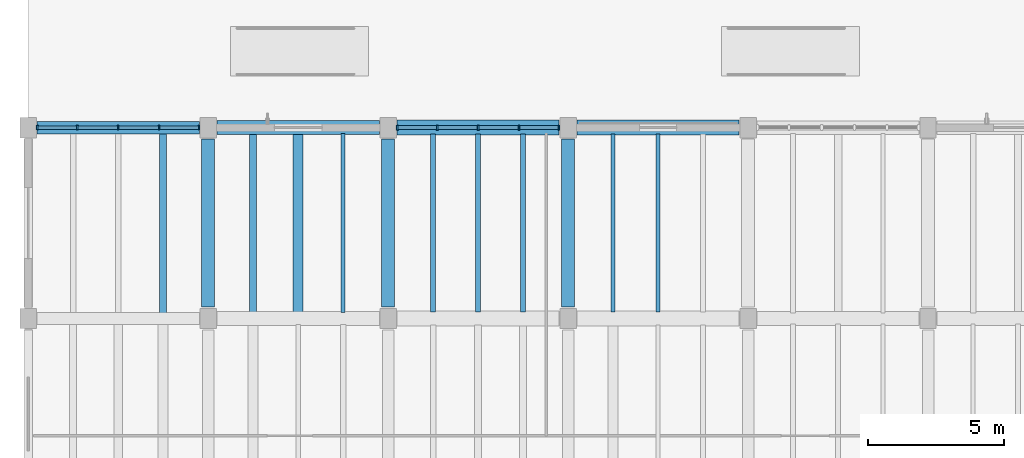
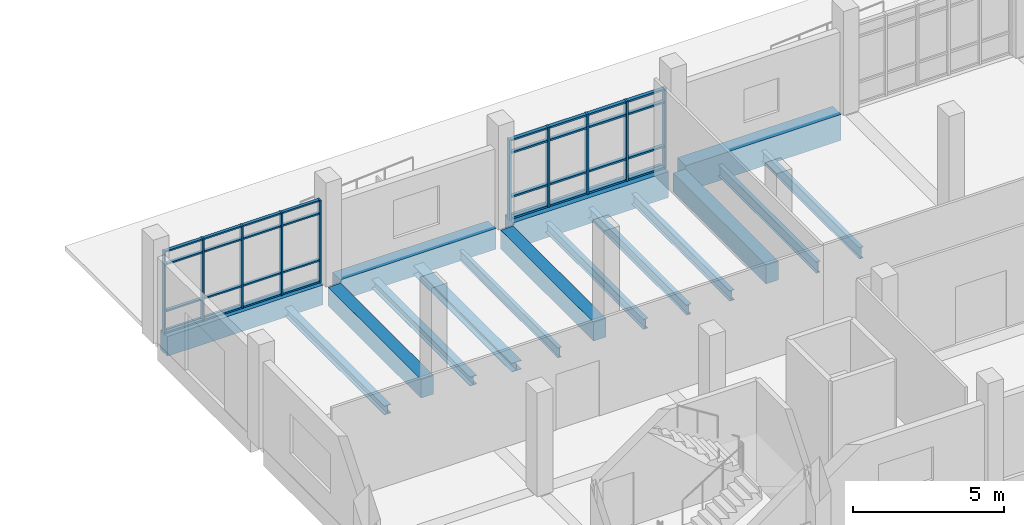
# One storey, part 3 of 69: 42 members, 16 beams, 2 elements without a shape of their own.
"""IFC4 building model written with IfcOpenShell, lengths in metres."""

from ifc_helpers import new_model, si_unit, direction, frame, origin, origin_2d, place, context, subcontext, project, spatial, rectangle, i_section, extrude, material, material_profile, profile_set, type_object, element, aggregate, save


model = new_model("IFC4")

# Units and contexts
model_context = context("Model", 3, precision=1e-05, world=origin(), true_north=direction((0.0, 1.0)))
body_context = subcontext(model_context, "Body", "Model", "MODEL_VIEW")
ifc_project = project(units=[si_unit("LENGTHUNIT", "METRE"), si_unit("AREAUNIT", "SQUARE_METRE"), si_unit("VOLUMEUNIT", "CUBIC_METRE"), si_unit("PLANEANGLEUNIT", "RADIAN"), si_unit("MASSUNIT", "GRAM", prefix="KILO")], contexts=[model_context])

# Site, building, storey
site_placement = place(None, origin())
site = spatial("IfcSite", under=ifc_project, at=site_placement, CompositionType="ELEMENT")
building_placement = place(site_placement, origin())
building = spatial("IfcBuilding", under=site, at=building_placement, Name="Ciguamira Faculty of Natural Sciences", CompositionType="ELEMENT")
storey_placement = place(building_placement, origin())
storey = spatial("IfcBuildingStorey", under=building, at=storey_placement, Name="L00", CompositionType="ELEMENT", Elevation=0.0)

# Curtain wall, members
ifc_material_1 = material(Name="Anodized aluminium curtain wall", Category="aluminium")
curtain_wall_type_1 = type_object("IfcCurtainWallType", Name="CurtainWall_CW-01", PredefinedType="USERDEFINED", material=ifc_material_1)
curtain_wall_1_placement = place(storey_placement, origin())
curtain_wall_1 = element("IfcCurtainWall", 1, at=curtain_wall_1_placement, inside=storey, type_object=curtain_wall_type_1, Name="L00 unitised curtain wall 0001", ObjectType="UNITISED CURTAIN WALL", PredefinedType="USERDEFINED")
ifc_material_2 = material(Name="Anodized aluminium mullion", Category="aluminium")
ifc_material_profile_1 = material_profile(ifc_material_2, rectangle(XDim=0.06005859375, YDim=0.159912109375, at=origin_2d()), Name="ALU-MUL-60X160")
ifc_profile_set_1 = profile_set([ifc_material_profile_1], Name="Anodized aluminium mullion")
member_type_1 = type_object("IfcMemberType", Name="CWMullion_CWM-01", PredefinedType="MULLION", material=ifc_profile_set_1)
member_1_placement = place(storey_placement, frame((4.830078125, 24.0, 0.0), z_axis=(0.0, 0.0, 1.0), x_axis=(1.0, 0.0, 0.0)))
member_1 = element("IfcMember", 2, at=member_1_placement, type_object=member_type_1, Name="CW-01 mullion 1", PredefinedType="MULLION", context=body_context, shape_type="SweptSolid", body=[
    extrude(rectangle(XDim=0.06005859375, YDim=0.159912109375, at=origin_2d()), origin(), (0.0, 0.0, 1.0), 3.344970703125),
])
member_2_placement = place(storey_placement, frame((6.300048828125, 24.0, 0.0), z_axis=(0.0, 0.0, 1.0), x_axis=(1.0, 0.0, 0.0)))
member_2 = element("IfcMember", 3, at=member_2_placement, type_object=member_type_1, Name="CW-01 mullion 2", PredefinedType="MULLION", context=body_context, shape_type="SweptSolid", body=[
    extrude(rectangle(XDim=0.06005859375, YDim=0.159912109375, at=origin_2d()), origin(), (0.0, 0.0, 1.0), 3.344970703125),
])
member_3_placement = place(storey_placement, frame((7.800048828125, 24.0, 0.0), z_axis=(0.0, 0.0, 1.0), x_axis=(1.0, 0.0, 0.0)))
member_3 = element("IfcMember", 4, at=member_3_placement, type_object=member_type_1, Name="CW-01 mullion 3", PredefinedType="MULLION", context=body_context, shape_type="SweptSolid", body=[
    extrude(rectangle(XDim=0.06005859375, YDim=0.159912109375, at=origin_2d()), origin(), (0.0, 0.0, 1.0), 3.344970703125),
])
member_4_placement = place(storey_placement, frame((9.300048828125, 24.0, 0.0), z_axis=(0.0, 0.0, 1.0), x_axis=(1.0, 0.0, 0.0)))
member_4 = element("IfcMember", 5, at=member_4_placement, type_object=member_type_1, Name="CW-01 mullion 4", PredefinedType="MULLION", context=body_context, shape_type="SweptSolid", body=[
    extrude(rectangle(XDim=0.06005859375, YDim=0.159912109375, at=origin_2d()), origin(), (0.0, 0.0, 1.0), 3.344970703125),
])
member_5_placement = place(storey_placement, frame((10.77001953125, 24.0, 0.0), z_axis=(0.0, 0.0, 1.0), x_axis=(1.0, 0.0, 0.0)))
member_5 = element("IfcMember", 6, at=member_5_placement, type_object=member_type_1, Name="CW-01 mullion 5", PredefinedType="MULLION", context=body_context, shape_type="SweptSolid", body=[
    extrude(rectangle(XDim=0.06005859375, YDim=0.159912109375, at=origin_2d()), origin(), (0.0, 0.0, 1.0), 3.344970703125),
])

curtain_wall_type_2 = type_object("IfcCurtainWallType", Name="CurtainWall_CW-02", PredefinedType="USERDEFINED", material=ifc_material_1)
curtain_wall_2_placement = place(storey_placement, origin())
curtain_wall_2 = element("IfcCurtainWall", 7, at=curtain_wall_2_placement, inside=storey, type_object=curtain_wall_type_2, Name="L00 unitised curtain wall 0002", ObjectType="UNITISED CURTAIN WALL", PredefinedType="USERDEFINED")
ifc_material_profile_2 = material_profile(ifc_material_2, rectangle(XDim=0.070068359375, YDim=0.179931640625, at=origin_2d()), Name="ALU-MUL-70X180")
ifc_profile_set_2 = profile_set([ifc_material_profile_2], Name="Anodized aluminium mullion")
member_type_2 = type_object("IfcMemberType", Name="CWMullion_CWM-02", PredefinedType="MULLION", material=ifc_profile_set_2)
member_6_placement = place(storey_placement, frame((18.034912109375, 24.0, 0.0), z_axis=(0.0, 0.0, 1.0), x_axis=(1.0, 0.0, 0.0)))
member_6 = element("IfcMember", 8, at=member_6_placement, type_object=member_type_2, Name="CW-02 mullion 1", PredefinedType="MULLION", context=body_context, shape_type="SweptSolid", body=[
    extrude(rectangle(XDim=0.070068359375, YDim=0.179931640625, at=origin_2d()), origin(), (0.0, 0.0, 1.0), 3.235107421875),
])
member_7_placement = place(storey_placement, frame((19.5, 24.0, 0.0), z_axis=(0.0, 0.0, 1.0), x_axis=(1.0, 0.0, 0.0)))
member_7 = element("IfcMember", 9, at=member_7_placement, type_object=member_type_2, Name="CW-02 mullion 2", PredefinedType="MULLION", context=body_context, shape_type="SweptSolid", body=[
    extrude(rectangle(XDim=0.070068359375, YDim=0.179931640625, at=origin_2d()), origin(), (0.0, 0.0, 1.0), 3.235107421875),
])
member_8_placement = place(storey_placement, frame((21.0, 24.0, 0.0), z_axis=(0.0, 0.0, 1.0), x_axis=(1.0, 0.0, 0.0)))
member_8 = element("IfcMember", 10, at=member_8_placement, type_object=member_type_2, Name="CW-02 mullion 3", PredefinedType="MULLION", context=body_context, shape_type="SweptSolid", body=[
    extrude(rectangle(XDim=0.070068359375, YDim=0.179931640625, at=origin_2d()), origin(), (0.0, 0.0, 1.0), 3.235107421875),
])
member_9_placement = place(storey_placement, frame((22.5, 24.0, 0.0), z_axis=(0.0, 0.0, 1.0), x_axis=(1.0, 0.0, 0.0)))
member_9 = element("IfcMember", 11, at=member_9_placement, type_object=member_type_2, Name="CW-02 mullion 4", PredefinedType="MULLION", context=body_context, shape_type="SweptSolid", body=[
    extrude(rectangle(XDim=0.070068359375, YDim=0.179931640625, at=origin_2d()), origin(), (0.0, 0.0, 1.0), 3.235107421875),
])
member_10_placement = place(storey_placement, frame((23.965087890625, 24.0, 0.0), z_axis=(0.0, 0.0, 1.0), x_axis=(1.0, 0.0, 0.0)))
member_10 = element("IfcMember", 12, at=member_10_placement, type_object=member_type_2, Name="CW-02 mullion 5", PredefinedType="MULLION", context=body_context, shape_type="SweptSolid", body=[
    extrude(rectangle(XDim=0.070068359375, YDim=0.179931640625, at=origin_2d()), origin(), (0.0, 0.0, 1.0), 3.235107421875),
])

# Member
ifc_material_3 = material(Name="Anodized aluminium transom", Category="aluminium")
ifc_material_profile_3 = material_profile(ifc_material_3, rectangle(XDim=0.06005859375, YDim=0.1201171875, at=origin_2d()), Name="ALU-TRN-60X120")
ifc_profile_set_3 = profile_set([ifc_material_profile_3], Name="Anodized aluminium transom")
member_type_3 = type_object("IfcMemberType", Name="CWTransom_CWT-01", PredefinedType="USERDEFINED", material=ifc_profile_set_3)
member_11_placement = place(storey_placement, frame((4.860107421875, 24.0, 0.030029296875), z_axis=(1.0, 0.0, 0.0), x_axis=(0.0, 0.0, 1.0)))
member_11 = element("IfcMember", 13, at=member_11_placement, type_object=member_type_3, Name="CW-01 transom 1.1", ObjectType="TRANSOM", PredefinedType="USERDEFINED", context=body_context, shape_type="SweptSolid", body=[
    extrude(rectangle(XDim=0.06005859375, YDim=0.1201171875, at=origin_2d()), origin(), (0.0, 0.0, 1.0), 1.409912109375),
])

member_12_placement = place(storey_placement, frame((4.860107421875, 24.0, 0.89990234375), z_axis=(1.0, 0.0, 0.0), x_axis=(0.0, 0.0, 1.0)))
member_12 = element("IfcMember", 14, at=member_12_placement, type_object=member_type_3, Name="CW-01 transom 1.2", ObjectType="TRANSOM", PredefinedType="USERDEFINED", context=body_context, shape_type="SweptSolid", body=[
    extrude(rectangle(XDim=0.06005859375, YDim=0.1201171875, at=origin_2d()), origin(), (0.0, 0.0, 1.0), 1.409912109375),
])

member_13_placement = place(storey_placement, frame((4.860107421875, 24.0, 2.794921875), z_axis=(1.0, 0.0, 0.0), x_axis=(0.0, 0.0, 1.0)))
member_13 = element("IfcMember", 15, at=member_13_placement, type_object=member_type_3, Name="CW-01 transom 1.3", ObjectType="TRANSOM", PredefinedType="USERDEFINED", context=body_context, shape_type="SweptSolid", body=[
    extrude(rectangle(XDim=0.06005859375, YDim=0.1201171875, at=origin_2d()), origin(), (0.0, 0.0, 1.0), 1.409912109375),
])

member_14_placement = place(storey_placement, frame((4.860107421875, 24.0, 3.31494140625), z_axis=(1.0, 0.0, 0.0), x_axis=(0.0, 0.0, 1.0)))
member_14 = element("IfcMember", 16, at=member_14_placement, type_object=member_type_3, Name="CW-01 transom 1.4", ObjectType="TRANSOM", PredefinedType="USERDEFINED", context=body_context, shape_type="SweptSolid", body=[
    extrude(rectangle(XDim=0.06005859375, YDim=0.1201171875, at=origin_2d()), origin(), (0.0, 0.0, 1.0), 1.409912109375),
])

member_15_placement = place(storey_placement, frame((6.330078125, 24.0, 0.030029296875), z_axis=(1.0, 0.0, 0.0), x_axis=(0.0, 0.0, 1.0)))
member_15 = element("IfcMember", 17, at=member_15_placement, type_object=member_type_3, Name="CW-01 transom 2.1", ObjectType="TRANSOM", PredefinedType="USERDEFINED", context=body_context, shape_type="SweptSolid", body=[
    extrude(rectangle(XDim=0.06005859375, YDim=0.1201171875, at=origin_2d()), origin(), (0.0, 0.0, 1.0), 1.43994140625),
])

member_16_placement = place(storey_placement, frame((6.330078125, 24.0, 0.89990234375), z_axis=(1.0, 0.0, 0.0), x_axis=(0.0, 0.0, 1.0)))
member_16 = element("IfcMember", 18, at=member_16_placement, type_object=member_type_3, Name="CW-01 transom 2.2", ObjectType="TRANSOM", PredefinedType="USERDEFINED", context=body_context, shape_type="SweptSolid", body=[
    extrude(rectangle(XDim=0.06005859375, YDim=0.1201171875, at=origin_2d()), origin(), (0.0, 0.0, 1.0), 1.43994140625),
])

member_17_placement = place(storey_placement, frame((6.330078125, 24.0, 2.794921875), z_axis=(1.0, 0.0, 0.0), x_axis=(0.0, 0.0, 1.0)))
member_17 = element("IfcMember", 19, at=member_17_placement, type_object=member_type_3, Name="CW-01 transom 2.3", ObjectType="TRANSOM", PredefinedType="USERDEFINED", context=body_context, shape_type="SweptSolid", body=[
    extrude(rectangle(XDim=0.06005859375, YDim=0.1201171875, at=origin_2d()), origin(), (0.0, 0.0, 1.0), 1.43994140625),
])

member_18_placement = place(storey_placement, frame((6.330078125, 24.0, 3.31494140625), z_axis=(1.0, 0.0, 0.0), x_axis=(0.0, 0.0, 1.0)))
member_18 = element("IfcMember", 20, at=member_18_placement, type_object=member_type_3, Name="CW-01 transom 2.4", ObjectType="TRANSOM", PredefinedType="USERDEFINED", context=body_context, shape_type="SweptSolid", body=[
    extrude(rectangle(XDim=0.06005859375, YDim=0.1201171875, at=origin_2d()), origin(), (0.0, 0.0, 1.0), 1.43994140625),
])

member_19_placement = place(storey_placement, frame((7.830078125, 24.0, 0.030029296875), z_axis=(1.0, 0.0, 0.0), x_axis=(0.0, 0.0, 1.0)))
member_19 = element("IfcMember", 21, at=member_19_placement, type_object=member_type_3, Name="CW-01 transom 3.1", ObjectType="TRANSOM", PredefinedType="USERDEFINED", context=body_context, shape_type="SweptSolid", body=[
    extrude(rectangle(XDim=0.06005859375, YDim=0.1201171875, at=origin_2d()), origin(), (0.0, 0.0, 1.0), 1.43994140625),
])

member_20_placement = place(storey_placement, frame((7.830078125, 24.0, 0.89990234375), z_axis=(1.0, 0.0, 0.0), x_axis=(0.0, 0.0, 1.0)))
member_20 = element("IfcMember", 22, at=member_20_placement, type_object=member_type_3, Name="CW-01 transom 3.2", ObjectType="TRANSOM", PredefinedType="USERDEFINED", context=body_context, shape_type="SweptSolid", body=[
    extrude(rectangle(XDim=0.06005859375, YDim=0.1201171875, at=origin_2d()), origin(), (0.0, 0.0, 1.0), 1.43994140625),
])

member_21_placement = place(storey_placement, frame((7.830078125, 24.0, 2.794921875), z_axis=(1.0, 0.0, 0.0), x_axis=(0.0, 0.0, 1.0)))
member_21 = element("IfcMember", 23, at=member_21_placement, type_object=member_type_3, Name="CW-01 transom 3.3", ObjectType="TRANSOM", PredefinedType="USERDEFINED", context=body_context, shape_type="SweptSolid", body=[
    extrude(rectangle(XDim=0.06005859375, YDim=0.1201171875, at=origin_2d()), origin(), (0.0, 0.0, 1.0), 1.43994140625),
])

member_22_placement = place(storey_placement, frame((7.830078125, 24.0, 3.31494140625), z_axis=(1.0, 0.0, 0.0), x_axis=(0.0, 0.0, 1.0)))
member_22 = element("IfcMember", 24, at=member_22_placement, type_object=member_type_3, Name="CW-01 transom 3.4", ObjectType="TRANSOM", PredefinedType="USERDEFINED", context=body_context, shape_type="SweptSolid", body=[
    extrude(rectangle(XDim=0.06005859375, YDim=0.1201171875, at=origin_2d()), origin(), (0.0, 0.0, 1.0), 1.43994140625),
])

member_23_placement = place(storey_placement, frame((9.330078125, 24.0, 0.030029296875), z_axis=(1.0, 0.0, 0.0), x_axis=(0.0, 0.0, 1.0)))
member_23 = element("IfcMember", 25, at=member_23_placement, type_object=member_type_3, Name="CW-01 transom 4.1", ObjectType="TRANSOM", PredefinedType="USERDEFINED", context=body_context, shape_type="SweptSolid", body=[
    extrude(rectangle(XDim=0.06005859375, YDim=0.1201171875, at=origin_2d()), origin(), (0.0, 0.0, 1.0), 1.409912109375),
])

member_24_placement = place(storey_placement, frame((9.330078125, 24.0, 0.89990234375), z_axis=(1.0, 0.0, 0.0), x_axis=(0.0, 0.0, 1.0)))
member_24 = element("IfcMember", 26, at=member_24_placement, type_object=member_type_3, Name="CW-01 transom 4.2", ObjectType="TRANSOM", PredefinedType="USERDEFINED", context=body_context, shape_type="SweptSolid", body=[
    extrude(rectangle(XDim=0.06005859375, YDim=0.1201171875, at=origin_2d()), origin(), (0.0, 0.0, 1.0), 1.409912109375),
])

member_25_placement = place(storey_placement, frame((9.330078125, 24.0, 2.794921875), z_axis=(1.0, 0.0, 0.0), x_axis=(0.0, 0.0, 1.0)))
member_25 = element("IfcMember", 27, at=member_25_placement, type_object=member_type_3, Name="CW-01 transom 4.3", ObjectType="TRANSOM", PredefinedType="USERDEFINED", context=body_context, shape_type="SweptSolid", body=[
    extrude(rectangle(XDim=0.06005859375, YDim=0.1201171875, at=origin_2d()), origin(), (0.0, 0.0, 1.0), 1.409912109375),
])

member_26_placement = place(storey_placement, frame((9.330078125, 24.0, 3.31494140625), z_axis=(1.0, 0.0, 0.0), x_axis=(0.0, 0.0, 1.0)))
member_26 = element("IfcMember", 28, at=member_26_placement, type_object=member_type_3, Name="CW-01 transom 4.4", ObjectType="TRANSOM", PredefinedType="USERDEFINED", context=body_context, shape_type="SweptSolid", body=[
    extrude(rectangle(XDim=0.06005859375, YDim=0.1201171875, at=origin_2d()), origin(), (0.0, 0.0, 1.0), 1.409912109375),
])

aggregate(curtain_wall_1, [member_1, member_2, member_3, member_4, member_5, member_11, member_12, member_13, member_14, member_15, member_16, member_17, member_18, member_19, member_20, member_21, member_22, member_23, member_24, member_25, member_26])

ifc_material_profile_4 = material_profile(ifc_material_3, rectangle(XDim=0.070068359375, YDim=0.139892578125, at=origin_2d()), Name="ALU-TRN-70X140")
ifc_profile_set_4 = profile_set([ifc_material_profile_4], Name="Anodized aluminium transom")
member_type_4 = type_object("IfcMemberType", Name="CWTransom_CWT-02", PredefinedType="USERDEFINED", material=ifc_profile_set_4)
member_27_placement = place(storey_placement, frame((18.070068359375, 24.0, 0.034912109375), z_axis=(1.0, 0.0, 0.0), x_axis=(0.0, 0.0, 1.0)))
member_27 = element("IfcMember", 29, at=member_27_placement, type_object=member_type_4, Name="CW-02 transom 1.1", ObjectType="TRANSOM", PredefinedType="USERDEFINED", context=body_context, shape_type="SweptSolid", body=[
    extrude(rectangle(XDim=0.070068359375, YDim=0.139892578125, at=origin_2d()), origin(), (0.0, 0.0, 1.0), 1.39501953125),
])

member_28_placement = place(storey_placement, frame((18.070068359375, 24.0, 0.89990234375), z_axis=(1.0, 0.0, 0.0), x_axis=(0.0, 0.0, 1.0)))
member_28 = element("IfcMember", 30, at=member_28_placement, type_object=member_type_4, Name="CW-02 transom 1.2", ObjectType="TRANSOM", PredefinedType="USERDEFINED", context=body_context, shape_type="SweptSolid", body=[
    extrude(rectangle(XDim=0.070068359375, YDim=0.139892578125, at=origin_2d()), origin(), (0.0, 0.0, 1.0), 1.39501953125),
])

member_29_placement = place(storey_placement, frame((18.070068359375, 24.0, 2.68505859375), z_axis=(1.0, 0.0, 0.0), x_axis=(0.0, 0.0, 1.0)))
member_29 = element("IfcMember", 31, at=member_29_placement, type_object=member_type_4, Name="CW-02 transom 1.3", ObjectType="TRANSOM", PredefinedType="USERDEFINED", context=body_context, shape_type="SweptSolid", body=[
    extrude(rectangle(XDim=0.070068359375, YDim=0.139892578125, at=origin_2d()), origin(), (0.0, 0.0, 1.0), 1.39501953125),
])

member_30_placement = place(storey_placement, frame((18.070068359375, 24.0, 3.199951171875), z_axis=(1.0, 0.0, 0.0), x_axis=(0.0, 0.0, 1.0)))
member_30 = element("IfcMember", 32, at=member_30_placement, type_object=member_type_4, Name="CW-02 transom 1.4", ObjectType="TRANSOM", PredefinedType="USERDEFINED", context=body_context, shape_type="SweptSolid", body=[
    extrude(rectangle(XDim=0.070068359375, YDim=0.139892578125, at=origin_2d()), origin(), (0.0, 0.0, 1.0), 1.39501953125),
])

member_31_placement = place(storey_placement, frame((19.534912109375, 24.0, 0.034912109375), z_axis=(1.0, 0.0, 0.0), x_axis=(0.0, 0.0, 1.0)))
member_31 = element("IfcMember", 33, at=member_31_placement, type_object=member_type_4, Name="CW-02 transom 2.1", ObjectType="TRANSOM", PredefinedType="USERDEFINED", context=body_context, shape_type="SweptSolid", body=[
    extrude(rectangle(XDim=0.070068359375, YDim=0.139892578125, at=origin_2d()), origin(), (0.0, 0.0, 1.0), 1.43017578125),
])

member_32_placement = place(storey_placement, frame((19.534912109375, 24.0, 0.89990234375), z_axis=(1.0, 0.0, 0.0), x_axis=(0.0, 0.0, 1.0)))
member_32 = element("IfcMember", 34, at=member_32_placement, type_object=member_type_4, Name="CW-02 transom 2.2", ObjectType="TRANSOM", PredefinedType="USERDEFINED", context=body_context, shape_type="SweptSolid", body=[
    extrude(rectangle(XDim=0.070068359375, YDim=0.139892578125, at=origin_2d()), origin(), (0.0, 0.0, 1.0), 1.43017578125),
])

member_33_placement = place(storey_placement, frame((19.534912109375, 24.0, 2.68505859375), z_axis=(1.0, 0.0, 0.0), x_axis=(0.0, 0.0, 1.0)))
member_33 = element("IfcMember", 35, at=member_33_placement, type_object=member_type_4, Name="CW-02 transom 2.3", ObjectType="TRANSOM", PredefinedType="USERDEFINED", context=body_context, shape_type="SweptSolid", body=[
    extrude(rectangle(XDim=0.070068359375, YDim=0.139892578125, at=origin_2d()), origin(), (0.0, 0.0, 1.0), 1.43017578125),
])

member_34_placement = place(storey_placement, frame((19.534912109375, 24.0, 3.199951171875), z_axis=(1.0, 0.0, 0.0), x_axis=(0.0, 0.0, 1.0)))
member_34 = element("IfcMember", 36, at=member_34_placement, type_object=member_type_4, Name="CW-02 transom 2.4", ObjectType="TRANSOM", PredefinedType="USERDEFINED", context=body_context, shape_type="SweptSolid", body=[
    extrude(rectangle(XDim=0.070068359375, YDim=0.139892578125, at=origin_2d()), origin(), (0.0, 0.0, 1.0), 1.43017578125),
])

member_35_placement = place(storey_placement, frame((21.034912109375, 24.0, 0.034912109375), z_axis=(1.0, 0.0, 0.0), x_axis=(0.0, 0.0, 1.0)))
member_35 = element("IfcMember", 37, at=member_35_placement, type_object=member_type_4, Name="CW-02 transom 3.1", ObjectType="TRANSOM", PredefinedType="USERDEFINED", context=body_context, shape_type="SweptSolid", body=[
    extrude(rectangle(XDim=0.070068359375, YDim=0.139892578125, at=origin_2d()), origin(), (0.0, 0.0, 1.0), 1.43017578125),
])

member_36_placement = place(storey_placement, frame((21.034912109375, 24.0, 0.89990234375), z_axis=(1.0, 0.0, 0.0), x_axis=(0.0, 0.0, 1.0)))
member_36 = element("IfcMember", 38, at=member_36_placement, type_object=member_type_4, Name="CW-02 transom 3.2", ObjectType="TRANSOM", PredefinedType="USERDEFINED", context=body_context, shape_type="SweptSolid", body=[
    extrude(rectangle(XDim=0.070068359375, YDim=0.139892578125, at=origin_2d()), origin(), (0.0, 0.0, 1.0), 1.43017578125),
])

member_37_placement = place(storey_placement, frame((21.034912109375, 24.0, 2.68505859375), z_axis=(1.0, 0.0, 0.0), x_axis=(0.0, 0.0, 1.0)))
member_37 = element("IfcMember", 39, at=member_37_placement, type_object=member_type_4, Name="CW-02 transom 3.3", ObjectType="TRANSOM", PredefinedType="USERDEFINED", context=body_context, shape_type="SweptSolid", body=[
    extrude(rectangle(XDim=0.070068359375, YDim=0.139892578125, at=origin_2d()), origin(), (0.0, 0.0, 1.0), 1.43017578125),
])

member_38_placement = place(storey_placement, frame((21.034912109375, 24.0, 3.199951171875), z_axis=(1.0, 0.0, 0.0), x_axis=(0.0, 0.0, 1.0)))
member_38 = element("IfcMember", 40, at=member_38_placement, type_object=member_type_4, Name="CW-02 transom 3.4", ObjectType="TRANSOM", PredefinedType="USERDEFINED", context=body_context, shape_type="SweptSolid", body=[
    extrude(rectangle(XDim=0.070068359375, YDim=0.139892578125, at=origin_2d()), origin(), (0.0, 0.0, 1.0), 1.43017578125),
])

member_39_placement = place(storey_placement, frame((22.534912109375, 24.0, 0.034912109375), z_axis=(1.0, 0.0, 0.0), x_axis=(0.0, 0.0, 1.0)))
member_39 = element("IfcMember", 41, at=member_39_placement, type_object=member_type_4, Name="CW-02 transom 4.1", ObjectType="TRANSOM", PredefinedType="USERDEFINED", context=body_context, shape_type="SweptSolid", body=[
    extrude(rectangle(XDim=0.070068359375, YDim=0.139892578125, at=origin_2d()), origin(), (0.0, 0.0, 1.0), 1.39501953125),
])

member_40_placement = place(storey_placement, frame((22.534912109375, 24.0, 0.89990234375), z_axis=(1.0, 0.0, 0.0), x_axis=(0.0, 0.0, 1.0)))
member_40 = element("IfcMember", 42, at=member_40_placement, type_object=member_type_4, Name="CW-02 transom 4.2", ObjectType="TRANSOM", PredefinedType="USERDEFINED", context=body_context, shape_type="SweptSolid", body=[
    extrude(rectangle(XDim=0.070068359375, YDim=0.139892578125, at=origin_2d()), origin(), (0.0, 0.0, 1.0), 1.39501953125),
])

member_41_placement = place(storey_placement, frame((22.534912109375, 24.0, 2.68505859375), z_axis=(1.0, 0.0, 0.0), x_axis=(0.0, 0.0, 1.0)))
member_41 = element("IfcMember", 43, at=member_41_placement, type_object=member_type_4, Name="CW-02 transom 4.3", ObjectType="TRANSOM", PredefinedType="USERDEFINED", context=body_context, shape_type="SweptSolid", body=[
    extrude(rectangle(XDim=0.070068359375, YDim=0.139892578125, at=origin_2d()), origin(), (0.0, 0.0, 1.0), 1.39501953125),
])

member_42_placement = place(storey_placement, frame((22.534912109375, 24.0, 3.199951171875), z_axis=(1.0, 0.0, 0.0), x_axis=(0.0, 0.0, 1.0)))
member_42 = element("IfcMember", 44, at=member_42_placement, type_object=member_type_4, Name="CW-02 transom 4.4", ObjectType="TRANSOM", PredefinedType="USERDEFINED", context=body_context, shape_type="SweptSolid", body=[
    extrude(rectangle(XDim=0.070068359375, YDim=0.139892578125, at=origin_2d()), origin(), (0.0, 0.0, 1.0), 1.39501953125),
])

aggregate(curtain_wall_2, [member_6, member_7, member_8, member_9, member_10, member_27, member_28, member_29, member_30, member_31, member_32, member_33, member_34, member_35, member_36, member_37, member_38, member_39, member_40, member_41, member_42])

# Beams
ifc_material_4 = material(Name="Concrete C40/50", Category="concrete")
ifc_material_profile_5 = material_profile(ifc_material_4, rectangle(XDim=0.550048828125, YDim=1.050048828125, at=origin_2d()), Name="RC-BM-550X1050")
ifc_profile_set_5 = profile_set([ifc_material_profile_5], Name="Concrete C40/50")
beam_type_1 = type_object("IfcBeamType", Name="RCBeam_BG-01_RC-BM-550X1050", PredefinedType="BEAM", material=ifc_profile_set_5)
beam_1_placement = place(storey_placement, frame((18.02490234375, 24.0, -0.52490234375), z_axis=(1.0, 0.0, 0.0), x_axis=(0.0, 1.0, 0.0)))
element("IfcBeam", 45, at=beam_1_placement, inside=storey, type_object=beam_type_1, Name="L00 RC girder EW-0060", PredefinedType="BEAM", context=body_context, shape_type="SweptSolid", body=[
    extrude(rectangle(XDim=0.550048828125, YDim=1.050048828125, at=origin_2d()), origin(), (0.0, 0.0, 1.0), 5.9501953125),
])
beam_2_placement = place(storey_placement, frame((24.625, 24.0, -0.52490234375), z_axis=(1.0, 0.0, 0.0), x_axis=(0.0, 1.0, 0.0)))
element("IfcBeam", 46, at=beam_2_placement, inside=storey, type_object=beam_type_1, Name="L00 RC girder EW-0061", PredefinedType="BEAM", context=body_context, shape_type="SweptSolid", body=[
    extrude(rectangle(XDim=0.550048828125, YDim=1.050048828125, at=origin_2d()), origin(), (0.0, 0.0, 1.0), 5.949951171875),
])
ifc_material_profile_6 = material_profile(ifc_material_4, rectangle(XDim=0.449951171875, YDim=0.800048828125, at=origin_2d()), Name="RC-BM-450X800")
ifc_profile_set_6 = profile_set([ifc_material_profile_6], Name="Concrete C40/50")
beam_type_2 = type_object("IfcBeamType", Name="RCBeam_BG-05_RC-BM-450X800", PredefinedType="BEAM", material=ifc_profile_set_6)
beam_3_placement = place(storey_placement, frame((4.824951171875, 24.0, -0.39990234375), z_axis=(1.0, 0.0, 0.0), x_axis=(0.0, 1.0, 0.0)))
element("IfcBeam", 47, at=beam_3_placement, inside=storey, type_object=beam_type_2, Name="L00 RC girder EW-0058", PredefinedType="BEAM", context=body_context, shape_type="SweptSolid", body=[
    extrude(rectangle(XDim=0.449951171875, YDim=0.800048828125, at=origin_2d()), origin(), (0.0, 0.0, 1.0), 5.949951171875),
])
ifc_material_profile_7 = material_profile(ifc_material_4, rectangle(XDim=0.47998046875, YDim=0.760009765625, at=origin_2d()), Name="RC-TB-480X760")
ifc_profile_set_7 = profile_set([ifc_material_profile_7], Name="Concrete C40/50")
beam_type_3 = type_object("IfcBeamType", Name="RCBeam_TB-01_RC-TB-480X760", PredefinedType="T_BEAM", material=ifc_profile_set_7)
for number, where, z_axis, x_axis, name in (
    (48, (11.10009765625, 17.425048828125, -0.3798828125), (0.0, 1.0, 0.0), (-1.0, 0.0, 0.0), "L00 girder NS-0197"),
    (49, (17.699951171875, 17.425048828125, -0.3798828125), (0.0, 1.0, 0.0), (-1.0, 0.0, 0.0), "L00 girder NS-0200"),
    (50, (24.300048828125, 17.425048828125, -0.3798828125), (0.0, 1.0, 0.0), (-1.0, 0.0, 0.0), "L00 girder NS-0203"),
):
    element("IfcBeam", number, at=place(storey_placement, frame(where, z_axis=z_axis, x_axis=x_axis)), inside=storey, type_object=beam_type_3, Name=name, PredefinedType="T_BEAM", context=body_context, shape_type="SweptSolid", body=[
        extrude(rectangle(XDim=0.47998046875, YDim=0.760009765625, at=origin_2d()), origin(), (0.0, 0.0, 1.0), 6.14990234375),
    ])
ifc_material_profile_8 = material_profile(ifc_material_4, rectangle(XDim=0.52001953125, YDim=0.840087890625, at=origin_2d()), Name="RC-TB-520X840")
ifc_profile_set_8 = profile_set([ifc_material_profile_8], Name="Concrete C40/50")
beam_type_4 = type_object("IfcBeamType", Name="RCBeam_TB-02_RC-TB-520X840", PredefinedType="T_BEAM", material=ifc_profile_set_8)
beam_4_placement = place(storey_placement, frame((11.425048828125, 24.0, -0.419921875), z_axis=(1.0, 0.0, 0.0), x_axis=(0.0, 1.0, 0.0)))
element("IfcBeam", 51, at=beam_4_placement, inside=storey, type_object=beam_type_4, Name="L00 RC girder EW-0059", PredefinedType="T_BEAM", context=body_context, shape_type="SweptSolid", body=[
    extrude(rectangle(XDim=0.52001953125, YDim=0.840087890625, at=origin_2d()), origin(), (0.0, 0.0, 1.0), 5.949951171875),
])
ifc_material_5 = material(Name="Steel ASTM A992 Grade 50", Category="steel")
ifc_material_profile_9 = material_profile(ifc_material_5, i_section(OverallWidth=0.25390625, OverallDepth=0.355712890625, WebThickness=0.010498046875, FlangeThickness=0.018310546875, at=origin_2d()), Name="W14X68")
ifc_profile_set_9 = profile_set([ifc_material_profile_9], Name="Steel ASTM A992 Grade 50")
beam_type_5 = type_object("IfcBeamType", Name="SteelJoist_SJ-14_W14X68", PredefinedType="JOIST", material=ifc_profile_set_9)
beam_5_placement = place(storey_placement, frame((9.449951171875, 17.18505859375, -0.577880859375), z_axis=(0.0, 1.0, 0.0), x_axis=(-1.0, 0.0, 0.0)))
element("IfcBeam", 52, at=beam_5_placement, inside=storey, type_object=beam_type_5, Name="L00 composite steel joist 00009", PredefinedType="JOIST", context=body_context, shape_type="SweptSolid", body=[
    extrude(i_section(OverallWidth=0.25390625, OverallDepth=0.355712890625, WebThickness=0.010498046875, FlangeThickness=0.018310546875, at=origin_2d()), origin(), (0.0, 0.0, 1.0), 6.6298828125),
])
ifc_material_profile_10 = material_profile(ifc_material_5, i_section(OverallWidth=0.256591796875, OverallDepth=0.36328125, WebThickness=0.012939453125, FlangeThickness=0.021728515625, at=origin_2d()), Name="W14X82")
ifc_profile_set_10 = profile_set([ifc_material_profile_10], Name="Steel ASTM A992 Grade 50")
beam_type_6 = type_object("IfcBeamType", Name="SteelJoist_SJ-15_W14X82", PredefinedType="JOIST", material=ifc_profile_set_10)
beam_6_placement = place(storey_placement, frame((12.75, 17.219970703125, -0.58154296875), z_axis=(0.0, 1.0, 0.0), x_axis=(-1.0, 0.0, 0.0)))
element("IfcBeam", 53, at=beam_6_placement, inside=storey, type_object=beam_type_6, Name="L00 composite steel joist 00013", PredefinedType="JOIST", context=body_context, shape_type="SweptSolid", body=[
    extrude(i_section(OverallWidth=0.256591796875, OverallDepth=0.36328125, WebThickness=0.012939453125, FlangeThickness=0.021728515625, at=origin_2d()), origin(), (0.0, 0.0, 1.0), 6.56005859375),
])
ifc_material_profile_11 = material_profile(ifc_material_5, i_section(OverallWidth=0.368408203125, OverallDepth=0.355712890625, WebThickness=0.01123046875, FlangeThickness=0.01806640625, at=origin_2d()), Name="W14X90")
ifc_profile_set_11 = profile_set([ifc_material_profile_11], Name="Steel ASTM A992 Grade 50")
beam_type_7 = type_object("IfcBeamType", Name="SteelJoist_SJ-16_W14X90", PredefinedType="JOIST", material=ifc_profile_set_11)
beam_7_placement = place(storey_placement, frame((14.39990234375, 17.219970703125, -0.577880859375), z_axis=(0.0, 1.0, 0.0), x_axis=(-1.0, 0.0, 0.0)))
element("IfcBeam", 54, at=beam_7_placement, inside=storey, type_object=beam_type_7, Name="L00 composite steel joist 00014", PredefinedType="JOIST", context=body_context, shape_type="SweptSolid", body=[
    extrude(i_section(OverallWidth=0.368408203125, OverallDepth=0.355712890625, WebThickness=0.01123046875, FlangeThickness=0.01806640625, at=origin_2d()), origin(), (0.0, 0.0, 1.0), 6.56005859375),
])
ifc_material_profile_12 = material_profile(ifc_material_5, i_section(OverallWidth=0.140380859375, OverallDepth=0.40380859375, WebThickness=0.007080078125, FlangeThickness=0.01123046875, at=origin_2d()), Name="W16X31")
ifc_profile_set_12 = profile_set([ifc_material_profile_12], Name="Steel ASTM A992 Grade 50")
beam_type_8 = type_object("IfcBeamType", Name="SteelJoist_SJ-17_W16X31", PredefinedType="JOIST", material=ifc_profile_set_12)
beam_8_placement = place(storey_placement, frame((16.050048828125, 17.219970703125, -0.601806640625), z_axis=(0.0, 1.0, 0.0), x_axis=(-1.0, 0.0, 0.0)))
element("IfcBeam", 55, at=beam_8_placement, inside=storey, type_object=beam_type_8, Name="L00 composite steel joist 00015", PredefinedType="JOIST", context=body_context, shape_type="SweptSolid", body=[
    extrude(i_section(OverallWidth=0.140380859375, OverallDepth=0.40380859375, WebThickness=0.007080078125, FlangeThickness=0.01123046875, at=origin_2d()), origin(), (0.0, 0.0, 1.0), 6.56005859375),
])
ifc_material_profile_13 = material_profile(ifc_material_5, i_section(OverallWidth=0.177490234375, OverallDepth=0.40380859375, WebThickness=0.007568359375, FlangeThickness=0.010986328125, at=origin_2d()), Name="W16X36")
ifc_profile_set_13 = profile_set([ifc_material_profile_13], Name="Steel ASTM A992 Grade 50")
beam_type_9 = type_object("IfcBeamType", Name="SteelJoist_SJ-18_W16X36", PredefinedType="JOIST", material=ifc_profile_set_13)
beam_9_placement = place(storey_placement, frame((19.35009765625, 17.235107421875, -0.601806640625), z_axis=(0.0, 1.0, 0.0), x_axis=(-1.0, 0.0, 0.0)))
element("IfcBeam", 56, at=beam_9_placement, inside=storey, type_object=beam_type_9, Name="L00 composite steel joist 00021", PredefinedType="JOIST", context=body_context, shape_type="SweptSolid", body=[
    extrude(i_section(OverallWidth=0.177490234375, OverallDepth=0.40380859375, WebThickness=0.007568359375, FlangeThickness=0.010986328125, at=origin_2d()), origin(), (0.0, 0.0, 1.0), 6.52978515625),
])
ifc_material_profile_14 = material_profile(ifc_material_5, i_section(OverallWidth=0.1787109375, OverallDepth=0.408935546875, WebThickness=0.0087890625, FlangeThickness=0.014404296875, at=origin_2d()), Name="W16X45")
ifc_profile_set_14 = profile_set([ifc_material_profile_14], Name="Steel ASTM A992 Grade 50")
beam_type_10 = type_object("IfcBeamType", Name="SteelJoist_SJ-19_W16X45", PredefinedType="JOIST", material=ifc_profile_set_14)
beam_10_placement = place(storey_placement, frame((21.0, 17.235107421875, -0.6044921875), z_axis=(0.0, 1.0, 0.0), x_axis=(-1.0, 0.0, 0.0)))
element("IfcBeam", 57, at=beam_10_placement, inside=storey, type_object=beam_type_10, Name="L00 composite steel joist 00022", PredefinedType="JOIST", context=body_context, shape_type="SweptSolid", body=[
    extrude(i_section(OverallWidth=0.1787109375, OverallDepth=0.408935546875, WebThickness=0.0087890625, FlangeThickness=0.014404296875, at=origin_2d()), origin(), (0.0, 0.0, 1.0), 6.52978515625),
])
ifc_material_profile_15 = material_profile(ifc_material_5, i_section(OverallWidth=0.180908203125, OverallDepth=0.41650390625, WebThickness=0.010986328125, FlangeThickness=0.01806640625, at=origin_2d()), Name="W16X57")
ifc_profile_set_15 = profile_set([ifc_material_profile_15], Name="Steel ASTM A992 Grade 50")
beam_type_11 = type_object("IfcBeamType", Name="SteelJoist_SJ-20_W16X57", PredefinedType="JOIST", material=ifc_profile_set_15)
beam_11_placement = place(storey_placement, frame((22.64990234375, 17.235107421875, -0.6083984375), z_axis=(0.0, 1.0, 0.0), x_axis=(-1.0, 0.0, 0.0)))
element("IfcBeam", 58, at=beam_11_placement, inside=storey, type_object=beam_type_11, Name="L00 composite steel joist 00023", PredefinedType="JOIST", context=body_context, shape_type="SweptSolid", body=[
    extrude(i_section(OverallWidth=0.180908203125, OverallDepth=0.41650390625, WebThickness=0.010986328125, FlangeThickness=0.01806640625, at=origin_2d()), origin(), (0.0, 0.0, 1.0), 6.52978515625),
])
ifc_material_profile_16 = material_profile(ifc_material_5, i_section(OverallWidth=0.15234375, OverallDepth=0.449462890625, WebThickness=0.007568359375, FlangeThickness=0.0107421875, at=origin_2d()), Name="W18X35")
ifc_profile_set_16 = profile_set([ifc_material_profile_16], Name="Steel ASTM A992 Grade 50")
beam_type_12 = type_object("IfcBeamType", Name="SteelJoist_SJ-21_W18X35", PredefinedType="JOIST", material=ifc_profile_set_16)
beam_12_placement = place(storey_placement, frame((25.949951171875, 17.235107421875, -0.624755859375), z_axis=(0.0, 1.0, 0.0), x_axis=(-1.0, 0.0, 0.0)))
element("IfcBeam", 59, at=beam_12_placement, inside=storey, type_object=beam_type_12, Name="L00 composite steel joist 00030", PredefinedType="JOIST", context=body_context, shape_type="SweptSolid", body=[
    extrude(i_section(OverallWidth=0.15234375, OverallDepth=0.449462890625, WebThickness=0.007568359375, FlangeThickness=0.0107421875, at=origin_2d()), origin(), (0.0, 0.0, 1.0), 6.52978515625),
])
ifc_material_profile_17 = material_profile(ifc_material_5, i_section(OverallWidth=0.15283203125, OverallDepth=0.45458984375, WebThickness=0.008056640625, FlangeThickness=0.013427734375, at=origin_2d()), Name="W18X40")
ifc_profile_set_17 = profile_set([ifc_material_profile_17], Name="Steel ASTM A992 Grade 50")
beam_type_13 = type_object("IfcBeamType", Name="SteelJoist_SJ-22_W18X40", PredefinedType="JOIST", material=ifc_profile_set_17)
beam_13_placement = place(storey_placement, frame((27.60009765625, 17.235107421875, -0.627197265625), z_axis=(0.0, 1.0, 0.0), x_axis=(-1.0, 0.0, 0.0)))
element("IfcBeam", 60, at=beam_13_placement, inside=storey, type_object=beam_type_13, Name="L00 composite steel joist 00031", PredefinedType="JOIST", context=body_context, shape_type="SweptSolid", body=[
    extrude(i_section(OverallWidth=0.15283203125, OverallDepth=0.45458984375, WebThickness=0.008056640625, FlangeThickness=0.013427734375, at=origin_2d()), origin(), (0.0, 0.0, 1.0), 6.52978515625),
])

save(model, "model.ifc")
